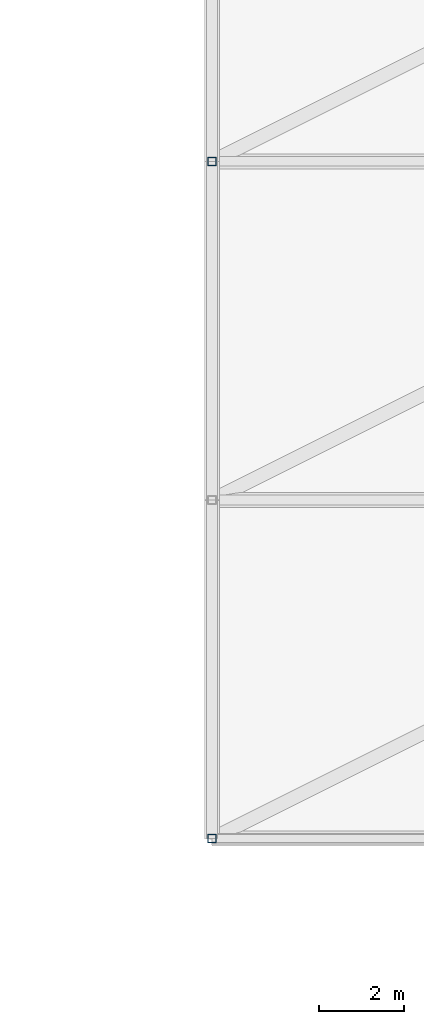
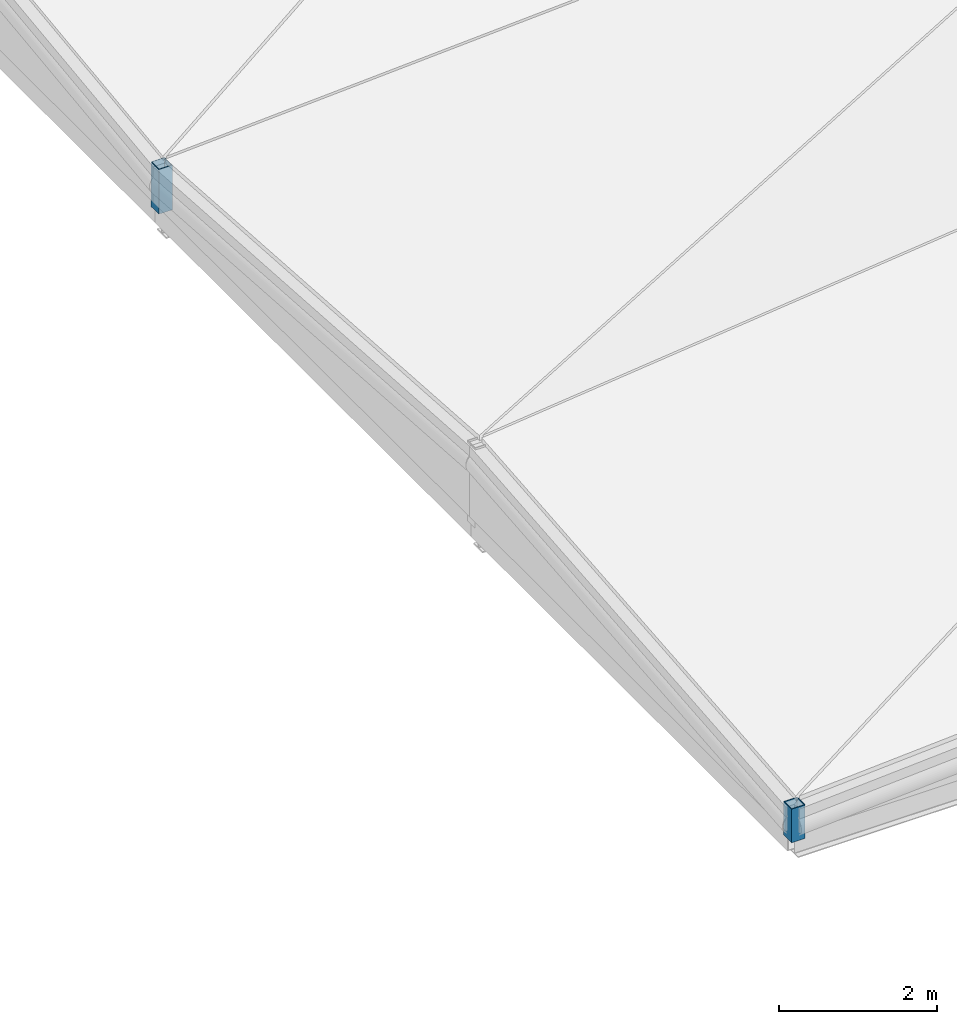
# One storey, part 26 of 44: 2 members.
"""IFC4 building model written with IfcOpenShell, lengths in metres."""

from ifc_helpers import new_model, si_unit, direction, frame, origin, origin_2d, place, context, subcontext, project, spatial, hollow_rectangle, extrude, material, material_profile, profile_set, type_object, element, save


model = new_model("IFC4")

# Units and contexts
model_context = context("Model", 3, precision=1e-05, world=origin(), true_north=direction((0.0, 1.0)))
body_context = subcontext(model_context, "Body", "Model", "MODEL_VIEW")
ifc_project = project(units=[si_unit("LENGTHUNIT", "METRE"), si_unit("AREAUNIT", "SQUARE_METRE"), si_unit("VOLUMEUNIT", "CUBIC_METRE"), si_unit("PLANEANGLEUNIT", "RADIAN"), si_unit("MASSUNIT", "GRAM", prefix="KILO")], contexts=[model_context])

# Site, building, storey
site_placement = place(None, origin())
site = spatial("IfcSite", under=ifc_project, at=site_placement, CompositionType="ELEMENT")
building_placement = place(site_placement, origin())
building = spatial("IfcBuilding", under=site, at=building_placement, Name="Tenunan Teduh Sports Hall", CompositionType="ELEMENT")
storey_placement = place(building_placement, frame((0.0, 0.0, 19.199951171875)))
storey = spatial("IfcBuildingStorey", under=building, at=storey_placement, Name="L04", CompositionType="ELEMENT", Elevation=19.199951171875)

# Members
ifc_material = material(Name="Steel S355", Category="steel")
ifc_material_profile = material_profile(ifc_material, hollow_rectangle(XDim=0.199951171875, YDim=0.199951171875, WallThickness=0.010009765625, at=origin_2d()), Name="SHS 200x200x10.0")
ifc_profile_set = profile_set([ifc_material_profile], Name="Steel S355")
member_type = type_object("IfcMemberType", Name="MEM-ST-SHS200", PredefinedType="STRUT", material=ifc_profile_set)
member_1_placement = place(storey_placement, frame((122.0, 46.0, -0.39990234375), z_axis=(0.0, 0.0, 1.0), x_axis=(1.0, 0.0, 0.0)))
element("IfcMember", 1, at=member_1_placement, inside=storey, type_object=member_type, Name="MEM-VS-02-L04-0832", PredefinedType="STRUT", context=body_context, shape_type="SweptSolid", body=[
    extrude(hollow_rectangle(XDim=0.199951171875, YDim=0.199951171875, WallThickness=0.010009765625, at=origin_2d()), origin(), (0.0, 0.0, 1.0), 0.52001953125),
])
member_2_placement = place(storey_placement, frame((122.0, 62.0, -0.39990234375), z_axis=(0.0, 0.0, 1.0), x_axis=(1.0, 0.0, 0.0)))
element("IfcMember", 2, at=member_2_placement, inside=storey, type_object=member_type, Name="MEM-VS-02-L04-0838", PredefinedType="STRUT", context=body_context, shape_type="SweptSolid", body=[
    extrude(hollow_rectangle(XDim=0.199951171875, YDim=0.199951171875, WallThickness=0.010009765625, at=origin_2d()), origin(), (0.0, 0.0, 1.0), 0.68994140625),
])

save(model, "model.ifc")
